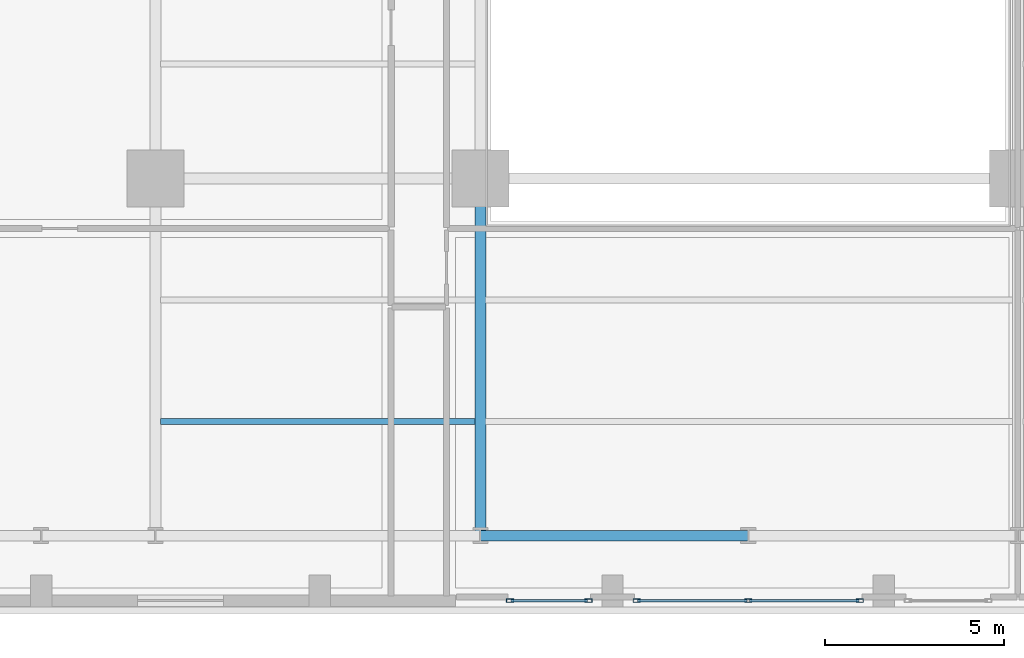
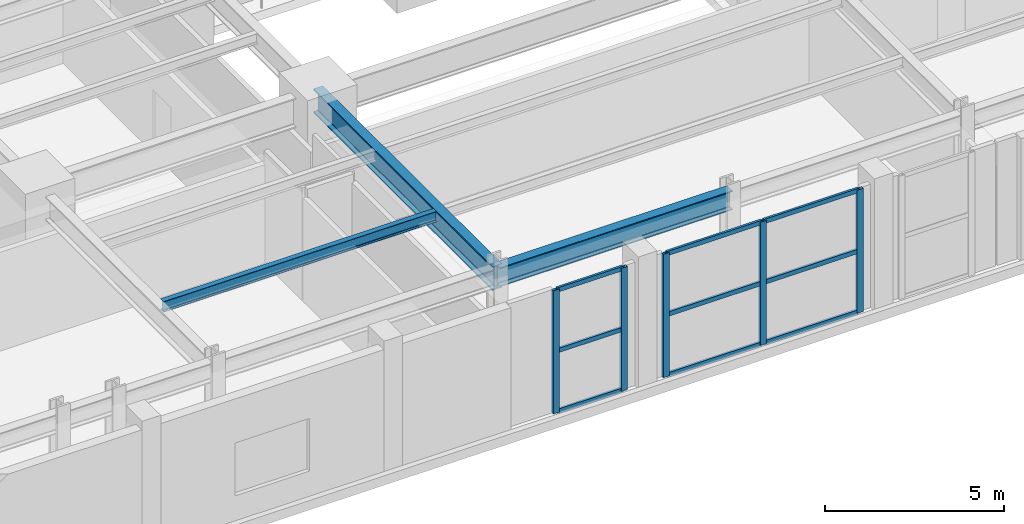
# One storey, part 2 of 14: 14 members, 3 beams, 2 elements without a shape of their own.
"""IFC4 building model written with IfcOpenShell, lengths in metres."""

from ifc_helpers import new_model, si_unit, direction, frame, origin, origin_2d, place, context, subcontext, project, spatial, hollow_rectangle, i_section, extrude, material, layer, layer_set, material_profile, profile_set, type_object, element, aggregate, save


model = new_model("IFC4")

# Units and contexts
model_context = context("Model", 3, precision=1e-05, world=origin(), true_north=direction((0.0, 1.0)))
body_context = subcontext(model_context, "Body", "Model", "MODEL_VIEW")
ifc_project = project(units=[si_unit("LENGTHUNIT", "METRE"), si_unit("AREAUNIT", "SQUARE_METRE"), si_unit("VOLUMEUNIT", "CUBIC_METRE"), si_unit("PLANEANGLEUNIT", "RADIAN"), si_unit("MASSUNIT", "GRAM", prefix="KILO")], contexts=[model_context])

# Site, building, storey
site_placement = place(None, origin())
site = spatial("IfcSite", under=ifc_project, at=site_placement, CompositionType="ELEMENT")
building_placement = place(site_placement, origin())
building = spatial("IfcBuilding", under=site, at=building_placement, Name="Zarnavel Station Tower", CompositionType="ELEMENT")
storey_placement = place(building_placement, frame((0.0, 0.0, 14.89990234375)))
storey = spatial("IfcBuildingStorey", under=building, at=storey_placement, Name="L04", CompositionType="ELEMENT", Elevation=14.89990234375)

# Curtain wall, members
ifc_material_1 = material(Name="Aluminium Dark Anodised and Solar-Control Glass", Category="aluminium")
ifc_layer = layer(ifc_material_1, 0.179931640625)
ifc_layer_set = layer_set([ifc_layer], Name="CWS1")
curtain_wall_type = type_object("IfcCurtainWallType", Name="CWS1", PredefinedType="NOTDEFINED", material=ifc_layer_set)
curtain_wall_1_placement = place(storey_placement, origin())
curtain_wall_1 = element("IfcCurtainWall", 1, at=curtain_wall_1_placement, inside=storey, type_object=curtain_wall_type, Name="L04 Curtain Wall CWS1-L04-S-S1", PredefinedType="NOTDEFINED")
ifc_material_2 = material(Name="Steel S355J2 (Black Fluoropolymer Coated)", Category="steel")
ifc_material_profile_1 = material_profile(ifc_material_2, hollow_rectangle(XDim=0.10009765625, YDim=0.199951171875, WallThickness=0.008056640625, at=origin_2d()), Name="RHS200x100x8")
ifc_profile_set_1 = profile_set([ifc_material_profile_1], Name="Steel S355J2 (Black Fluoropolymer Coated)")
member_type_1 = type_object("IfcMemberType", Name="CWS1_MUL", PredefinedType="MULLION", material=ifc_profile_set_1)
member_1_placement = place(storey_placement, frame((22.1298828125, 3.780029296875, 0.0), z_axis=(0.0, 0.0, 1.0), x_axis=(0.0, 1.0, 0.0)))
member_1 = element("IfcMember", 2, at=member_1_placement, type_object=member_type_1, Name="CW1 mullion 1", PredefinedType="MULLION", context=body_context, shape_type="SweptSolid", body=[
    extrude(hollow_rectangle(XDim=0.10009765625, YDim=0.199951171875, WallThickness=0.008056640625, at=origin_2d()), origin(), (0.0, 0.0, 1.0), 4.2001953125),
])
member_2_placement = place(storey_placement, frame((24.325927734375, 3.780029296875, 0.0), z_axis=(0.0, 0.0, 1.0), x_axis=(0.0, 1.0, 0.0)))
member_2 = element("IfcMember", 3, at=member_2_placement, type_object=member_type_1, Name="CW1 mullion 2", PredefinedType="MULLION", context=body_context, shape_type="SweptSolid", body=[
    extrude(hollow_rectangle(XDim=0.10009765625, YDim=0.199951171875, WallThickness=0.008056640625, at=origin_2d()), origin(), (0.0, 0.0, 1.0), 4.2001953125),
])

curtain_wall_2_placement = place(storey_placement, origin())
curtain_wall_2 = element("IfcCurtainWall", 4, at=curtain_wall_2_placement, inside=storey, type_object=curtain_wall_type, Name="L04 Curtain Wall CWS1-L04-S-S2", PredefinedType="NOTDEFINED")
member_3_placement = place(storey_placement, frame((25.674072265625, 3.780029296875, 0.0), z_axis=(0.0, 0.0, 1.0), x_axis=(0.0, 1.0, 0.0)))
member_3 = element("IfcMember", 5, at=member_3_placement, type_object=member_type_1, Name="CW1 mullion 1", PredefinedType="MULLION", context=body_context, shape_type="SweptSolid", body=[
    extrude(hollow_rectangle(XDim=0.10009765625, YDim=0.199951171875, WallThickness=0.008056640625, at=origin_2d()), origin(), (0.0, 0.0, 1.0), 4.2001953125),
])
member_4_placement = place(storey_placement, frame((28.800048828125, 3.780029296875, 0.0), z_axis=(0.0, 0.0, 1.0), x_axis=(0.0, 1.0, 0.0)))
member_4 = element("IfcMember", 6, at=member_4_placement, type_object=member_type_1, Name="CW1 mullion 2", PredefinedType="MULLION", context=body_context, shape_type="SweptSolid", body=[
    extrude(hollow_rectangle(XDim=0.10009765625, YDim=0.199951171875, WallThickness=0.008056640625, at=origin_2d()), origin(), (0.0, 0.0, 1.0), 4.2001953125),
])
member_5_placement = place(storey_placement, frame((31.926025390625, 3.780029296875, 0.0), z_axis=(0.0, 0.0, 1.0), x_axis=(0.0, 1.0, 0.0)))
member_5 = element("IfcMember", 7, at=member_5_placement, type_object=member_type_1, Name="CW1 mullion 3", PredefinedType="MULLION", context=body_context, shape_type="SweptSolid", body=[
    extrude(hollow_rectangle(XDim=0.10009765625, YDim=0.199951171875, WallThickness=0.008056640625, at=origin_2d()), origin(), (0.0, 0.0, 1.0), 4.2001953125),
])

# Member
ifc_material_3 = material(Name="Steel S355J2 (Black Fluoropolymer Coated)", Category="steel")
ifc_material_profile_2 = material_profile(ifc_material_3, hollow_rectangle(XDim=0.074951171875, YDim=0.14990234375, WallThickness=0.00634765625, at=origin_2d()), Name="RHS150x75x6.3")
ifc_profile_set_2 = profile_set([ifc_material_profile_2], Name="Steel S355J2 (Black Fluoropolymer Coated)")
member_type_2 = type_object("IfcMemberType", Name="CWS1_TRN", PredefinedType="USERDEFINED", material=ifc_profile_set_2)
member_6_placement = place(storey_placement, frame((22.159912109375, 3.780029296875, 0.030029296875), z_axis=(1.0, 0.0, 0.0), x_axis=(0.0, 1.0, 0.0)))
member_6 = element("IfcMember", 8, at=member_6_placement, type_object=member_type_2, Name="CW1 transom 1.1", ObjectType="TRANSOM", PredefinedType="USERDEFINED", context=body_context, shape_type="SweptSolid", body=[
    extrude(hollow_rectangle(XDim=0.074951171875, YDim=0.14990234375, WallThickness=0.00634765625, at=origin_2d()), origin(), (0.0, 0.0, 1.0), 2.135986328125),
])

member_7_placement = place(storey_placement, frame((22.159912109375, 3.780029296875, 2.10009765625), z_axis=(1.0, 0.0, 0.0), x_axis=(0.0, 1.0, 0.0)))
member_7 = element("IfcMember", 9, at=member_7_placement, type_object=member_type_2, Name="CW1 transom 1.2", ObjectType="TRANSOM", PredefinedType="USERDEFINED", context=body_context, shape_type="SweptSolid", body=[
    extrude(hollow_rectangle(XDim=0.074951171875, YDim=0.14990234375, WallThickness=0.00634765625, at=origin_2d()), origin(), (0.0, 0.0, 1.0), 2.135986328125),
])

member_8_placement = place(storey_placement, frame((22.159912109375, 3.780029296875, 4.170166015625), z_axis=(1.0, 0.0, 0.0), x_axis=(0.0, 1.0, 0.0)))
member_8 = element("IfcMember", 10, at=member_8_placement, type_object=member_type_2, Name="CW1 transom 1.3", ObjectType="TRANSOM", PredefinedType="USERDEFINED", context=body_context, shape_type="SweptSolid", body=[
    extrude(hollow_rectangle(XDim=0.074951171875, YDim=0.14990234375, WallThickness=0.00634765625, at=origin_2d()), origin(), (0.0, 0.0, 1.0), 2.135986328125),
])

aggregate(curtain_wall_1, [member_1, member_2, member_6, member_7, member_8])

member_9_placement = place(storey_placement, frame((25.7041015625, 3.780029296875, 0.030029296875), z_axis=(1.0, 0.0, 0.0), x_axis=(0.0, 1.0, 0.0)))
member_9 = element("IfcMember", 11, at=member_9_placement, type_object=member_type_2, Name="CW1 transom 1.1", ObjectType="TRANSOM", PredefinedType="USERDEFINED", context=body_context, shape_type="SweptSolid", body=[
    extrude(hollow_rectangle(XDim=0.074951171875, YDim=0.14990234375, WallThickness=0.00634765625, at=origin_2d()), origin(), (0.0, 0.0, 1.0), 3.06591796875),
])

member_10_placement = place(storey_placement, frame((25.7041015625, 3.780029296875, 2.10009765625), z_axis=(1.0, 0.0, 0.0), x_axis=(0.0, 1.0, 0.0)))
member_10 = element("IfcMember", 12, at=member_10_placement, type_object=member_type_2, Name="CW1 transom 1.2", ObjectType="TRANSOM", PredefinedType="USERDEFINED", context=body_context, shape_type="SweptSolid", body=[
    extrude(hollow_rectangle(XDim=0.074951171875, YDim=0.14990234375, WallThickness=0.00634765625, at=origin_2d()), origin(), (0.0, 0.0, 1.0), 3.06591796875),
])

member_11_placement = place(storey_placement, frame((25.7041015625, 3.780029296875, 4.170166015625), z_axis=(1.0, 0.0, 0.0), x_axis=(0.0, 1.0, 0.0)))
member_11 = element("IfcMember", 13, at=member_11_placement, type_object=member_type_2, Name="CW1 transom 1.3", ObjectType="TRANSOM", PredefinedType="USERDEFINED", context=body_context, shape_type="SweptSolid", body=[
    extrude(hollow_rectangle(XDim=0.074951171875, YDim=0.14990234375, WallThickness=0.00634765625, at=origin_2d()), origin(), (0.0, 0.0, 1.0), 3.06591796875),
])

member_12_placement = place(storey_placement, frame((28.830078125, 3.780029296875, 0.030029296875), z_axis=(1.0, 0.0, 0.0), x_axis=(0.0, 1.0, 0.0)))
member_12 = element("IfcMember", 14, at=member_12_placement, type_object=member_type_2, Name="CW1 transom 2.1", ObjectType="TRANSOM", PredefinedType="USERDEFINED", context=body_context, shape_type="SweptSolid", body=[
    extrude(hollow_rectangle(XDim=0.074951171875, YDim=0.14990234375, WallThickness=0.00634765625, at=origin_2d()), origin(), (0.0, 0.0, 1.0), 3.06591796875),
])

member_13_placement = place(storey_placement, frame((28.830078125, 3.780029296875, 2.10009765625), z_axis=(1.0, 0.0, 0.0), x_axis=(0.0, 1.0, 0.0)))
member_13 = element("IfcMember", 15, at=member_13_placement, type_object=member_type_2, Name="CW1 transom 2.2", ObjectType="TRANSOM", PredefinedType="USERDEFINED", context=body_context, shape_type="SweptSolid", body=[
    extrude(hollow_rectangle(XDim=0.074951171875, YDim=0.14990234375, WallThickness=0.00634765625, at=origin_2d()), origin(), (0.0, 0.0, 1.0), 3.06591796875),
])

member_14_placement = place(storey_placement, frame((28.830078125, 3.780029296875, 4.170166015625), z_axis=(1.0, 0.0, 0.0), x_axis=(0.0, 1.0, 0.0)))
member_14 = element("IfcMember", 16, at=member_14_placement, type_object=member_type_2, Name="CW1 transom 2.3", ObjectType="TRANSOM", PredefinedType="USERDEFINED", context=body_context, shape_type="SweptSolid", body=[
    extrude(hollow_rectangle(XDim=0.074951171875, YDim=0.14990234375, WallThickness=0.00634765625, at=origin_2d()), origin(), (0.0, 0.0, 1.0), 3.06591796875),
])

aggregate(curtain_wall_2, [member_3, member_4, member_5, member_9, member_10, member_11, member_12, member_13, member_14])

# Beams
ifc_material_4 = material(Name="Steel S355J2", Category="steel")
ifc_material_profile_3 = material_profile(ifc_material_4, i_section(OverallWidth=0.300048828125, OverallDepth=0.64990234375, WebThickness=0.01611328125, FlangeThickness=0.031005859375, FilletRadius=0.027099609375, at=origin_2d()), Name="HEB650")
ifc_profile_set_3 = profile_set([ifc_material_profile_3], Name="Steel S355J2")
beam_type_1 = type_object("IfcBeamType", Name="FG_HEB650", PredefinedType="USERDEFINED", material=ifc_profile_set_3)
beam_1_placement = place(storey_placement, frame((21.300048828125, 5.60009765625, 3.875), z_axis=(1.0, 0.0, 0.0), x_axis=(0.0, 1.0, 0.0)))
element("IfcBeam", 17, at=beam_1_placement, inside=storey, type_object=beam_type_1, Name="L04 EW Frame Girder 1-5", ObjectType="GIRDER", PredefinedType="USERDEFINED", context=body_context, shape_type="SweptSolid", body=[
    extrude(i_section(OverallWidth=0.300048828125, OverallDepth=0.64990234375, WebThickness=0.01611328125, FlangeThickness=0.031005859375, FilletRadius=0.027099609375, at=origin_2d()), origin(), (0.0, 0.0, 1.0), 7.5),
])
ifc_material_5 = material(Name="Steel S460M", Category="steel")
ifc_material_profile_4 = material_profile(ifc_material_5, i_section(OverallWidth=0.302978515625, OverallDepth=0.81396484375, WebThickness=0.02099609375, FlangeThickness=0.0400390625, FilletRadius=0.030029296875, at=origin_2d()), Name="HEM800")
ifc_profile_set_4 = profile_set([ifc_material_profile_4], Name="Steel S460M")
beam_type_2 = type_object("IfcBeamType", Name="FG_HEM800", PredefinedType="USERDEFINED", material=ifc_profile_set_4)
beam_2_placement = place(storey_placement, frame((21.300048828125, 5.60009765625, 3.793212890625), z_axis=(0.0, 1.0, 0.0), x_axis=(-1.0, 0.0, 0.0)))
element("IfcBeam", 18, at=beam_2_placement, inside=storey, type_object=beam_type_2, Name="L04 NS Girder South 2", ObjectType="GIRDER", PredefinedType="USERDEFINED", context=body_context, shape_type="SweptSolid", body=[
    extrude(i_section(OverallWidth=0.302978515625, OverallDepth=0.81396484375, WebThickness=0.02099609375, FlangeThickness=0.0400390625, FilletRadius=0.030029296875, at=origin_2d()), origin(), (0.0, 0.0, 1.0), 10.0),
])
ifc_material_6 = material(Name="Steel S355J2", Category="steel")
ifc_material_profile_5 = material_profile(ifc_material_6, i_section(OverallWidth=0.169921875, OverallDepth=0.360107421875, WebThickness=0.008056640625, FlangeThickness=0.0126953125, FilletRadius=0.01806640625, at=origin_2d()), Name="IPE360")
ifc_profile_set_5 = profile_set([ifc_material_profile_5], Name="Steel S355J2")
beam_type_3 = type_object("IfcBeamType", Name="FJ_IPE360", PredefinedType="JOIST", material=ifc_profile_set_5)
beam_3_placement = place(storey_placement, frame((12.344970703125, 8.800048828125, 4.02001953125), z_axis=(1.0, 0.0, 0.0), x_axis=(0.0, 1.0, 0.0)))
element("IfcBeam", 19, at=beam_3_placement, inside=storey, type_object=beam_type_3, Name="L04 Floor Joist W1", PredefinedType="JOIST", context=body_context, shape_type="SweptSolid", body=[
    extrude(i_section(OverallWidth=0.169921875, OverallDepth=0.360107421875, WebThickness=0.008056640625, FlangeThickness=0.0126953125, FilletRadius=0.01806640625, at=origin_2d()), origin(), (0.0, 0.0, 1.0), 8.81005859375),
])

save(model, "model.ifc")
